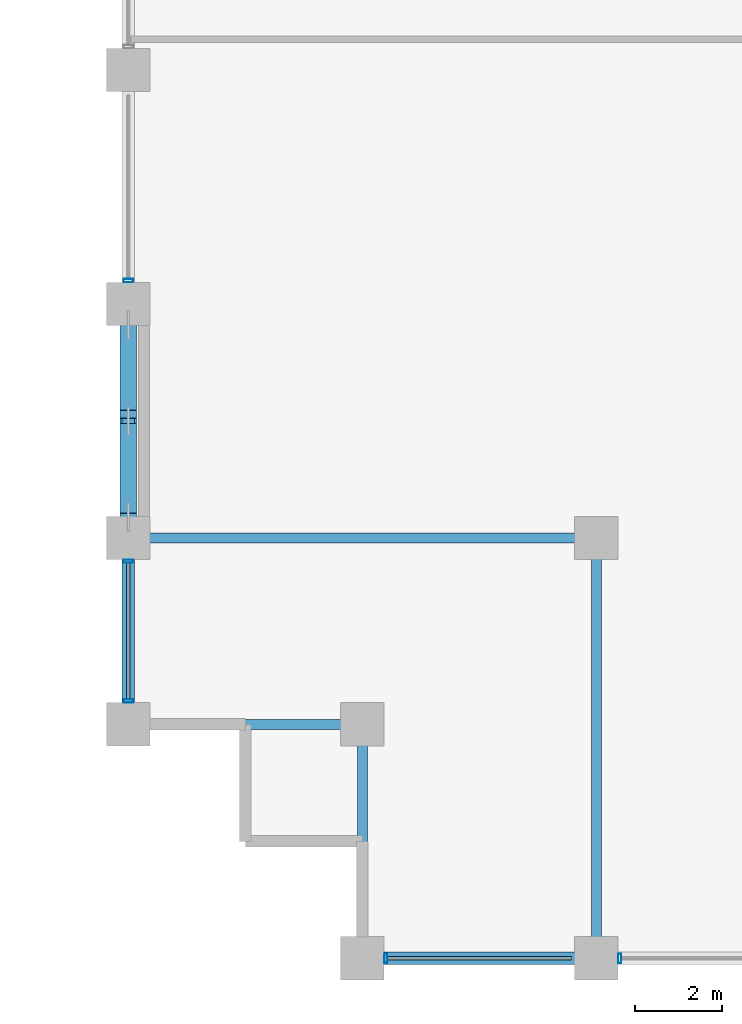
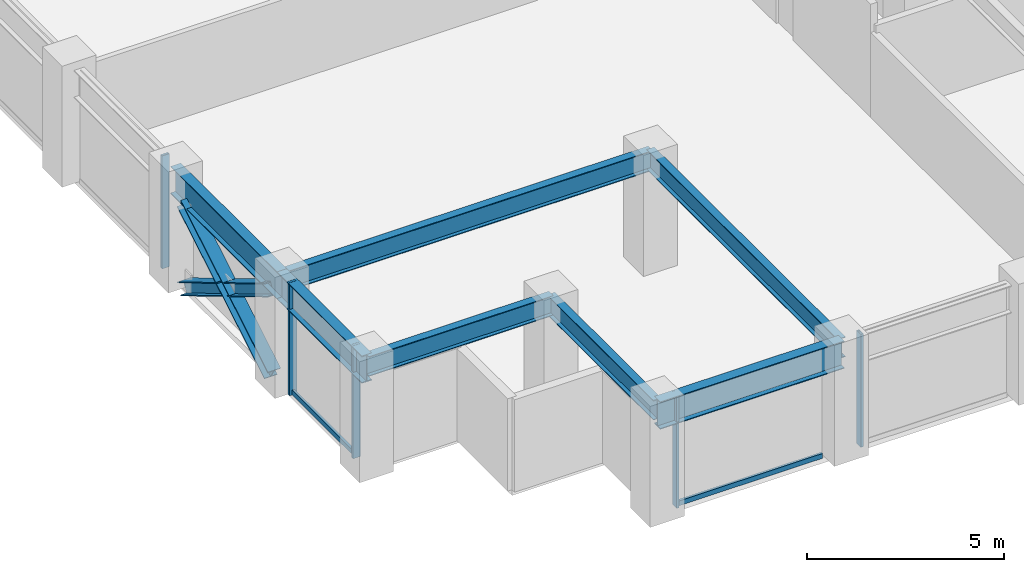
# One storey, part 2 of 29: 10 members, 7 beams, 3 elements without a shape of their own.
"""IFC4 building model written with IfcOpenShell, lengths in metres."""

from ifc_helpers import new_model, si_unit, direction, frame, origin, origin_2d, place, context, subcontext, project, spatial, hollow_rectangle, i_section, extrude, material, layer, layer_set, material_profile, profile_set, type_object, element, aggregate, save


model = new_model("IFC4")

# Units and contexts
model_context = context("Model", 3, precision=1e-05, world=origin(), true_north=direction((0.0, 1.0)))
body_context = subcontext(model_context, "Body", "Model", "MODEL_VIEW")
ifc_project = project(units=[si_unit("LENGTHUNIT", "METRE"), si_unit("AREAUNIT", "SQUARE_METRE"), si_unit("VOLUMEUNIT", "CUBIC_METRE"), si_unit("PLANEANGLEUNIT", "RADIAN"), si_unit("MASSUNIT", "GRAM", prefix="KILO")], contexts=[model_context])

# Site, building, storey
site_placement = place(None, origin())
site = spatial("IfcSite", under=ifc_project, at=site_placement, CompositionType="ELEMENT")
building_placement = place(site_placement, origin())
building = spatial("IfcBuilding", under=site, at=building_placement, Name="Surkhivell Harbour Commons", CompositionType="ELEMENT")
storey_placement = place(building_placement, frame((0.0, 0.0, 158.25)))
storey = spatial("IfcBuildingStorey", under=building, at=storey_placement, Name="L41", CompositionType="ELEMENT", Elevation=158.25)

# Beams
ifc_material_1 = material(Name="Steel S355", Category="steel")
ifc_material_profile_1 = material_profile(ifc_material_1, i_section(OverallWidth=0.22998046875, OverallDepth=0.616943359375, WebThickness=0.01318359375, FlangeThickness=0.022216796875, at=origin_2d()), Name="UB610x229x140")
ifc_profile_set_1 = profile_set([ifc_material_profile_1], Name="Steel S355")
beam_type_1 = type_object("IfcBeamType", Name="BM-GRD-610B", PredefinedType="BEAM", material=ifc_profile_set_1)
beam_1_placement = place(storey_placement, frame((-32.39990234375, -20.5, 3.19140625), z_axis=(1.0, 0.0, 0.0), x_axis=(0.0, 1.0, 0.0)))
element("IfcBeam", 1, at=beam_1_placement, inside=storey, type_object=beam_type_1, Name="L41 Floor Girder (-32.4,-20.5)", PredefinedType="BEAM", context=body_context, shape_type="SweptSolid", body=[
    extrude(i_section(OverallWidth=0.22998046875, OverallDepth=0.616943359375, WebThickness=0.01318359375, FlangeThickness=0.022216796875, at=origin_2d()), origin(), (0.0, 0.0, 1.0), 5.39990234375),
])
beam_2_placement = place(storey_placement, frame((-32.39990234375, -16.199951171875, 3.19140625), z_axis=(1.0, 0.0, 0.0), x_axis=(0.0, 1.0, 0.0)))
element("IfcBeam", 2, at=beam_2_placement, inside=storey, type_object=beam_type_1, Name="L41 Floor Girder (-32.4,-16.2)", PredefinedType="BEAM", context=body_context, shape_type="SweptSolid", body=[
    extrude(i_section(OverallWidth=0.22998046875, OverallDepth=0.616943359375, WebThickness=0.01318359375, FlangeThickness=0.022216796875, at=origin_2d()), origin(), (0.0, 0.0, 1.0), 10.7998046875),
])
beam_3_placement = place(storey_placement, frame((-27.0, -25.89990234375, 3.19140625), z_axis=(0.0, 1.0, 0.0), x_axis=(-1.0, 0.0, 0.0)))
element("IfcBeam", 3, at=beam_3_placement, inside=storey, type_object=beam_type_1, Name="L41 Floor Girder (-27.0,-25.9)", PredefinedType="BEAM", context=body_context, shape_type="SweptSolid", body=[
    extrude(i_section(OverallWidth=0.22998046875, OverallDepth=0.616943359375, WebThickness=0.01318359375, FlangeThickness=0.022216796875, at=origin_2d()), origin(), (0.0, 0.0, 1.0), 5.39990234375),
])
beam_4_placement = place(storey_placement, frame((-21.60009765625, -25.89990234375, 3.19140625), z_axis=(0.0, 1.0, 0.0), x_axis=(-1.0, 0.0, 0.0)))
element("IfcBeam", 4, at=beam_4_placement, inside=storey, type_object=beam_type_1, Name="L41 Floor Girder (-21.6,-25.9)", PredefinedType="BEAM", context=body_context, shape_type="SweptSolid", body=[
    extrude(i_section(OverallWidth=0.22998046875, OverallDepth=0.616943359375, WebThickness=0.01318359375, FlangeThickness=0.022216796875, at=origin_2d()), origin(), (0.0, 0.0, 1.0), 9.699951171875),
])
ifc_material_2 = material(Name="Steel S460", Category="steel")
ifc_material_profile_2 = material_profile(ifc_material_2, i_section(OverallWidth=0.2939453125, OverallDepth=0.85107421875, WebThickness=0.01611328125, FlangeThickness=0.02685546875, at=origin_2d()), Name="UB838x292x226")
ifc_profile_set_2 = profile_set([ifc_material_profile_2], Name="Steel S460")
beam_type_2 = type_object("IfcBeamType", Name="BM-SPN-838", PredefinedType="SPANDREL", material=ifc_profile_set_2)
beam_5_placement = place(storey_placement, frame((-32.39990234375, -20.5, 3.074462890625), z_axis=(0.0, 1.0, 0.0), x_axis=(-1.0, 0.0, 0.0)))
element("IfcBeam", 5, at=beam_5_placement, inside=storey, type_object=beam_type_2, Name="L41 Tube Spandrel (-32.4,-20.5)", PredefinedType="SPANDREL", context=body_context, shape_type="SweptSolid", body=[
    extrude(i_section(OverallWidth=0.2939453125, OverallDepth=0.85107421875, WebThickness=0.01611328125, FlangeThickness=0.02685546875, at=origin_2d()), origin(), (0.0, 0.0, 1.0), 4.300048828125),
])
for number, where, z_axis, x_axis, name in (
    (6, (-32.39990234375, -16.199951171875, 3.074462890625), (0.0, 1.0, 0.0), (-1.0, 0.0, 0.0), "L41 Tube Spandrel (-32.4,-16.2)"),
    (7, (-27.0, -25.89990234375, 3.074462890625), (1.0, 0.0, 0.0), (0.0, 1.0, 0.0), "L41 Tube Spandrel (-27.0,-25.9)"),
):
    element("IfcBeam", number, at=place(storey_placement, frame(where, z_axis=z_axis, x_axis=x_axis)), inside=storey, type_object=beam_type_2, Name=name, PredefinedType="SPANDREL", context=body_context, shape_type="SweptSolid", body=[
        extrude(i_section(OverallWidth=0.2939453125, OverallDepth=0.85107421875, WebThickness=0.01611328125, FlangeThickness=0.02685546875, at=origin_2d()), origin(), (0.0, 0.0, 1.0), 5.39990234375),
    ])

# Curtain wall, members
ifc_material_3 = material(Name="Anodised pale-metal aluminium and insulated glazing", Category="aluminium")
ifc_layer = layer(ifc_material_3, 0.205078125)
ifc_layer_set = layer_set([ifc_layer], Name="Anodised pale-metal aluminium and insulated glazing")
curtain_wall_type = type_object("IfcCurtainWallType", Name="CW-SYS-Z2", PredefinedType="NOTDEFINED", material=ifc_layer_set)
curtain_wall_1_placement = place(storey_placement, origin())
curtain_wall_1 = element("IfcCurtainWall", 8, at=curtain_wall_1_placement, inside=storey, type_object=curtain_wall_type, Name="L41 Curtain Wall CW-L41-E00S1", PredefinedType="NOTDEFINED")
ifc_material_4 = material(Name="Anodised pale-metal aluminium alloy 6063-T6", Category="aluminium")
ifc_material_profile_3 = material_profile(ifc_material_4, hollow_rectangle(XDim=0.074951171875, YDim=0.219970703125, WallThickness=0.00390625, at=origin_2d()), Name="ALU-MULL-75x220")
ifc_profile_set_3 = profile_set([ifc_material_profile_3], Name="Anodised pale-metal aluminium alloy 6063-T6")
member_type_1 = type_object("IfcMemberType", Name="CWM-220", PredefinedType="MULLION", material=ifc_profile_set_3)
member_1_placement = place(storey_placement, frame((-26.46044921875, -25.89990234375, 0.0), z_axis=(0.0, 0.0, 1.0), x_axis=(1.0, 0.0, 0.0)))
member_1 = element("IfcMember", 9, at=member_1_placement, type_object=member_type_1, Name="CW-Z2 mullion 1", PredefinedType="MULLION", context=body_context, shape_type="SweptSolid", body=[
    extrude(hollow_rectangle(XDim=0.074951171875, YDim=0.219970703125, WallThickness=0.00390625, at=origin_2d()), origin(), (0.0, 0.0, 1.0), 3.5),
])
member_2_placement = place(storey_placement, frame((-21.060546875, -25.89990234375, 0.0), z_axis=(0.0, 0.0, 1.0), x_axis=(1.0, 0.0, 0.0)))
member_2 = element("IfcMember", 10, at=member_2_placement, type_object=member_type_1, Name="CW-Z2 mullion 2", PredefinedType="MULLION", context=body_context, shape_type="SweptSolid", body=[
    extrude(hollow_rectangle(XDim=0.074951171875, YDim=0.219970703125, WallThickness=0.00390625, at=origin_2d()), origin(), (0.0, 0.0, 1.0), 3.5),
])

curtain_wall_2_placement = place(storey_placement, origin())
curtain_wall_2 = element("IfcCurtainWall", 11, at=curtain_wall_2_placement, inside=storey, type_object=curtain_wall_type, Name="L41 Curtain Wall CW-L41-E12R1S1", PredefinedType="NOTDEFINED")
member_3_placement = place(storey_placement, frame((-32.39990234375, -19.96044921875, 0.0), z_axis=(0.0, 0.0, 1.0), x_axis=(0.0, 1.0, 0.0)))
member_3 = element("IfcMember", 12, at=member_3_placement, type_object=member_type_1, Name="CW-Z2 mullion 1", PredefinedType="MULLION", context=body_context, shape_type="SweptSolid", body=[
    extrude(hollow_rectangle(XDim=0.074951171875, YDim=0.219970703125, WallThickness=0.00390625, at=origin_2d()), origin(), (0.0, 0.0, 1.0), 3.5),
])
member_4_placement = place(storey_placement, frame((-32.39990234375, -16.739501953125, 0.0), z_axis=(0.0, 0.0, 1.0), x_axis=(0.0, 1.0, 0.0)))
member_4 = element("IfcMember", 13, at=member_4_placement, type_object=member_type_1, Name="CW-Z2 mullion 2", PredefinedType="MULLION", context=body_context, shape_type="SweptSolid", body=[
    extrude(hollow_rectangle(XDim=0.074951171875, YDim=0.219970703125, WallThickness=0.00390625, at=origin_2d()), origin(), (0.0, 0.0, 1.0), 3.5),
])

# Curtain wall, member
curtain_wall_3_placement = place(storey_placement, origin())
curtain_wall_3 = element("IfcCurtainWall", 14, at=curtain_wall_3_placement, inside=storey, type_object=curtain_wall_type, Name="L41 Curtain Wall CW-L41-E12R1S2", PredefinedType="NOTDEFINED")
member_5_placement = place(storey_placement, frame((-32.39990234375, -10.260498046875, 0.0), z_axis=(0.0, 0.0, 1.0), x_axis=(0.0, 1.0, 0.0)))
member_5 = element("IfcMember", 15, at=member_5_placement, type_object=member_type_1, Name="CW-Z2 mullion 1", PredefinedType="MULLION", context=body_context, shape_type="SweptSolid", body=[
    extrude(hollow_rectangle(XDim=0.074951171875, YDim=0.219970703125, WallThickness=0.00390625, at=origin_2d()), origin(), (0.0, 0.0, 1.0), 3.5),
])
aggregate(curtain_wall_3, [member_5])

# Member
ifc_material_profile_4 = material_profile(ifc_material_4, hollow_rectangle(XDim=0.074951171875, YDim=0.14990234375, WallThickness=0.00341796875, at=origin_2d()), Name="ALU-TRAN-75x150")
ifc_profile_set_4 = profile_set([ifc_material_profile_4], Name="Anodised pale-metal aluminium alloy 6063-T6")
member_type_2 = type_object("IfcMemberType", Name="CWT-150", PredefinedType="USERDEFINED", material=ifc_profile_set_4)
member_6_placement = place(storey_placement, frame((-26.423095703125, -25.89990234375, 0.074951171875), z_axis=(1.0, 0.0, 0.0), x_axis=(0.0, 1.0, 0.0)))
member_6 = element("IfcMember", 16, at=member_6_placement, type_object=member_type_2, Name="CW-Z2 transom 1.1", ObjectType="TRANSOM", PredefinedType="USERDEFINED", context=body_context, shape_type="SweptSolid", body=[
    extrude(hollow_rectangle(XDim=0.074951171875, YDim=0.14990234375, WallThickness=0.00341796875, at=origin_2d()), origin(), (0.0, 0.0, 1.0), 4.24609375),
])

aggregate(curtain_wall_1, [member_1, member_6, member_2])

member_7_placement = place(storey_placement, frame((-32.39990234375, -19.923095703125, 0.074951171875), z_axis=(0.0, 1.0, 0.0), x_axis=(-1.0, 0.0, 0.0)))
member_7 = element("IfcMember", 17, at=member_7_placement, type_object=member_type_2, Name="CW-Z2 transom 1.1", ObjectType="TRANSOM", PredefinedType="USERDEFINED", context=body_context, shape_type="SweptSolid", body=[
    extrude(hollow_rectangle(XDim=0.074951171875, YDim=0.14990234375, WallThickness=0.00341796875, at=origin_2d()), origin(), (0.0, 0.0, 1.0), 3.14599609375),
])

aggregate(curtain_wall_2, [member_3, member_4, member_7])

# Members
ifc_material_profile_5 = material_profile(ifc_material_2, i_section(OverallWidth=0.375, OverallDepth=0.375, WebThickness=0.0166015625, FlangeThickness=0.027099609375, at=origin_2d()), Name="UC356x368x202")
ifc_profile_set_5 = profile_set([ifc_material_profile_5], Name="Steel S460")
member_type_3 = type_object("IfcMemberType", Name="MEM-BRC-UC356", PredefinedType="BRACE", material=ifc_profile_set_5)
member_8_placement = place(storey_placement, frame((-32.39990234375, -15.715087890625, 0.008056640625), z_axis=(0.0, 0.858609799971, 0.512629702021), x_axis=(-1.0, 0.0, 0.0)))
element("IfcMember", 18, at=member_8_placement, inside=storey, type_object=member_type_3, Name="L41 Perimeter Mega-Brace MB- 10", PredefinedType="BRACE", context=body_context, shape_type="SweptSolid", body=[
    extrude(i_section(OverallWidth=0.375, OverallDepth=0.375, WebThickness=0.0166015625, FlangeThickness=0.027099609375, at=origin_2d()), origin(), (0.0, 0.0, 1.0), 5.15966796875),
])
for number, where, z_axis, x_axis, name in (
    (19, (-32.39990234375, -11.284912109375, 0.008056640625), (0.0, -0.858612923928, 0.51262446963), (1.0, 0.0, 0.0), "L41 Perimeter Mega-Brace MB- 11"),
    (20, (-32.39990234375, -13.654541015625, 1.4228515625), (0.0, -0.858612923928, 0.51262446963), (1.0, 0.0, 0.0), "L41 Perimeter Mega-Brace MB- 12"),
):
    element("IfcMember", number, at=place(storey_placement, frame(where, z_axis=z_axis, x_axis=x_axis)), inside=storey, type_object=member_type_3, Name=name, PredefinedType="BRACE", context=body_context, shape_type="SweptSolid", body=[
        extrude(i_section(OverallWidth=0.375, OverallDepth=0.375, WebThickness=0.0166015625, FlangeThickness=0.027099609375, at=origin_2d()), origin(), (0.0, 0.0, 1.0), 2.39990234375),
    ])

save(model, "model.ifc")
